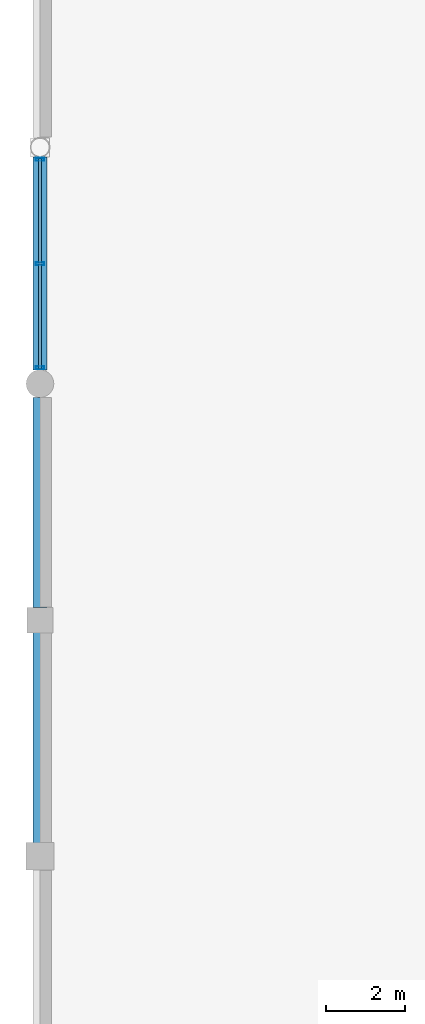
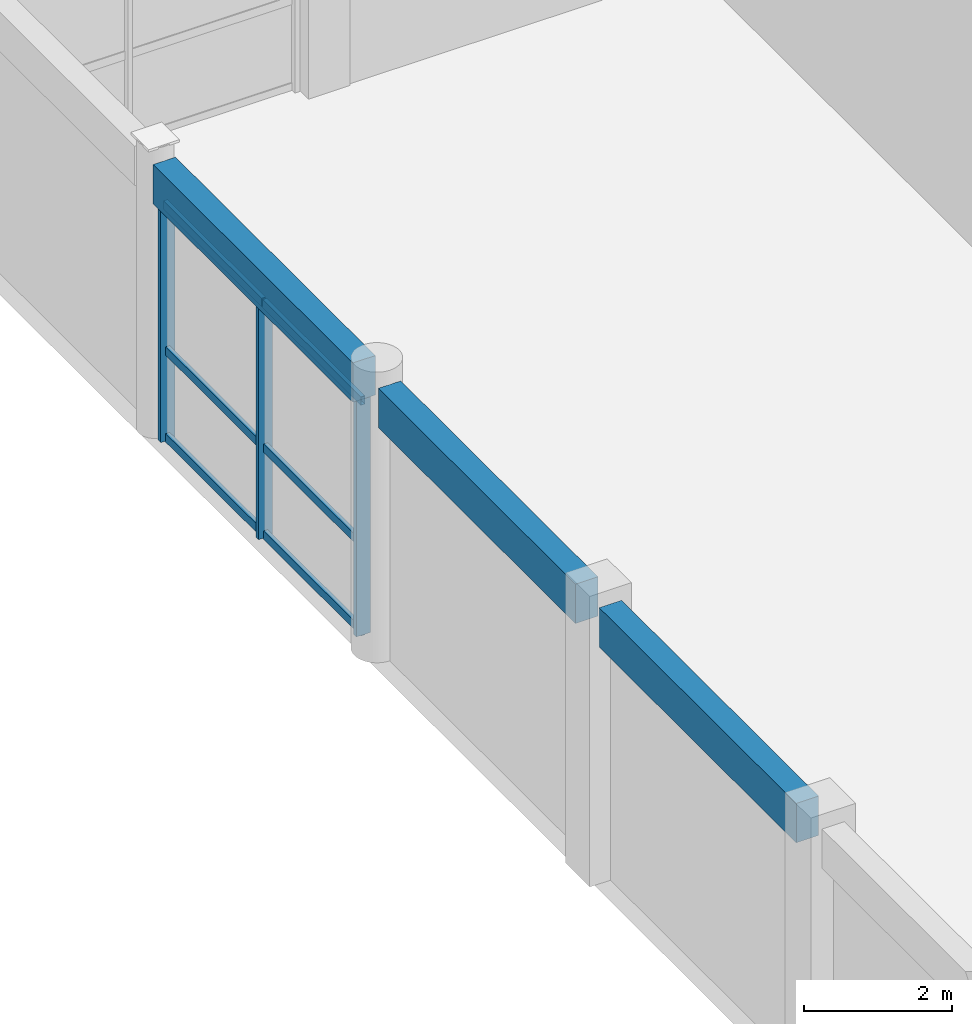
# One storey, part 36 of 112: 9 members, 3 beams, 1 element without a shape of its own.
"""IFC4 building model written with IfcOpenShell, lengths in metres."""

from ifc_helpers import new_model, si_unit, direction, frame, origin, origin_2d, place, context, subcontext, project, spatial, rectangle, hollow_rectangle, extrude, material, material_profile, profile_set, type_object, element, aggregate, save


model = new_model("IFC4")

# Units and contexts
model_context = context("Model", 3, precision=1e-05, world=origin(), true_north=direction((0.0, 1.0)))
body_context = subcontext(model_context, "Body", "Model", "MODEL_VIEW")
ifc_project = project(units=[si_unit("LENGTHUNIT", "METRE"), si_unit("AREAUNIT", "SQUARE_METRE"), si_unit("VOLUMEUNIT", "CUBIC_METRE"), si_unit("PLANEANGLEUNIT", "RADIAN"), si_unit("MASSUNIT", "GRAM", prefix="KILO"), si_unit("THERMODYNAMICTEMPERATUREUNIT", "KELVIN"), si_unit("POWERUNIT", "WATT")], contexts=[model_context])

# Site, building, storey
site_placement = place(None, origin())
site = spatial("IfcSite", under=ifc_project, at=site_placement, CompositionType="ELEMENT")
building_placement = place(site_placement, origin())
building = spatial("IfcBuilding", under=site, at=building_placement, Name="Phaisarnlok Congress Hotel", CompositionType="ELEMENT")
storey_placement = place(building_placement, frame((0.0, 0.0, 19.800048828125)))
storey = spatial("IfcBuildingStorey", under=building, at=storey_placement, Name="L04", CompositionType="ELEMENT", Elevation=19.800048828125)

# Curtain wall, members
ifc_material_1 = material(Name="Thermally Broken Unitised Aluminium & Low-E Glazing", Category="aluminium")
curtain_wall_type = type_object("IfcCurtainWallType", Name="CW-UNIT-34", PredefinedType="NOTDEFINED", material=ifc_material_1)
curtain_wall_placement = place(storey_placement, origin())
curtain_wall = element("IfcCurtainWall", 1, at=curtain_wall_placement, inside=storey, type_object=curtain_wall_type, Name="Unitised curtain wall CW-34 (L04)", PredefinedType="NOTDEFINED")
ifc_material_2 = material(Name="Anodised Aluminium Alloy 6063-T6", Category="aluminium")
ifc_material_profile_1 = material_profile(ifc_material_2, hollow_rectangle(XDim=0.074951171875, YDim=0.219970703125, WallThickness=0.0048828125, at=origin_2d()), Name="ALU-M 75x220x5")
ifc_profile_set_1 = profile_set([ifc_material_profile_1], Name="Anodised Aluminium Alloy 6063-T6")
member_type_1 = type_object("IfcMemberType", Name="CWM-220", PredefinedType="MULLION", material=ifc_profile_set_1)
member_1_placement = place(storey_placement, frame((0.0, 113.696044921875, 0.0), z_axis=(0.0, 0.0, 1.0), x_axis=(0.0, -1.0, 0.0)))
member_1 = element("IfcMember", 2, at=member_1_placement, type_object=member_type_1, Name="Curtain wall mullion CWM-02", PredefinedType="MULLION", context=body_context, shape_type="SweptSolid", body=[
    extrude(hollow_rectangle(XDim=0.074951171875, YDim=0.219970703125, WallThickness=0.0048828125, at=origin_2d()), origin(), (0.0, 0.0, 1.0), 3.909912109375),
])
member_2_placement = place(storey_placement, frame((0.0, 111.048095703125, 0.0), z_axis=(0.0, 0.0, 1.0), x_axis=(0.0, -1.0, 0.0)))
member_2 = element("IfcMember", 3, at=member_2_placement, type_object=member_type_1, Name="Curtain wall mullion CWM-02", PredefinedType="MULLION", context=body_context, shape_type="SweptSolid", body=[
    extrude(hollow_rectangle(XDim=0.074951171875, YDim=0.219970703125, WallThickness=0.0048828125, at=origin_2d()), origin(), (0.0, 0.0, 1.0), 3.909912109375),
])
member_3_placement = place(storey_placement, frame((0.0, 108.39990234375, 0.0), z_axis=(0.0, 0.0, 1.0), x_axis=(0.0, -1.0, 0.0)))
member_3 = element("IfcMember", 4, at=member_3_placement, type_object=member_type_1, Name="Curtain wall mullion CWM-02", PredefinedType="MULLION", context=body_context, shape_type="SweptSolid", body=[
    extrude(hollow_rectangle(XDim=0.074951171875, YDim=0.219970703125, WallThickness=0.0048828125, at=origin_2d()), origin(), (0.0, 0.0, 1.0), 3.909912109375),
])
ifc_material_profile_2 = material_profile(ifc_material_2, hollow_rectangle(XDim=0.06494140625, YDim=0.139892578125, WallThickness=0.00390625, at=origin_2d()), Name="ALU-T 65x140x4")
ifc_profile_set_2 = profile_set([ifc_material_profile_2], Name="Anodised Aluminium Alloy 6063-T6")
member_type_2 = type_object("IfcMemberType", Name="CWT-150", PredefinedType="USERDEFINED", material=ifc_profile_set_2)
member_4_placement = place(storey_placement, frame((0.0, 113.720947265625, 0.050048828125), z_axis=(0.0, -1.0, 0.0), x_axis=(1.0, 0.0, 0.0)))
member_4 = element("IfcMember", 5, at=member_4_placement, type_object=member_type_2, Name="Curtain wall transom CWT-01", ObjectType="TRANSOM", PredefinedType="USERDEFINED", context=body_context, shape_type="SweptSolid", body=[
    extrude(hollow_rectangle(XDim=0.06494140625, YDim=0.139892578125, WallThickness=0.00390625, at=origin_2d()), origin(), (0.0, 0.0, 1.0), 2.657958984375),
])
member_5_placement = place(storey_placement, frame((0.0, 113.720947265625, 1.48583984375), z_axis=(0.0, -1.0, 0.0), x_axis=(1.0, 0.0, 0.0)))
member_5 = element("IfcMember", 6, at=member_5_placement, type_object=member_type_2, Name="Curtain wall transom CWT-01", ObjectType="TRANSOM", PredefinedType="USERDEFINED", context=body_context, shape_type="SweptSolid", body=[
    extrude(hollow_rectangle(XDim=0.06494140625, YDim=0.139892578125, WallThickness=0.00390625, at=origin_2d()), origin(), (0.0, 0.0, 1.0), 2.657958984375),
])
member_6_placement = place(storey_placement, frame((0.0, 113.720947265625, 3.85986328125), z_axis=(0.0, -1.0, 0.0), x_axis=(1.0, 0.0, 0.0)))
member_6 = element("IfcMember", 7, at=member_6_placement, type_object=member_type_2, Name="Curtain wall transom CWT-01", ObjectType="TRANSOM", PredefinedType="USERDEFINED", context=body_context, shape_type="SweptSolid", body=[
    extrude(hollow_rectangle(XDim=0.06494140625, YDim=0.139892578125, WallThickness=0.00390625, at=origin_2d()), origin(), (0.0, 0.0, 1.0), 2.657958984375),
])
member_7_placement = place(storey_placement, frame((0.0, 111.032958984375, 0.050048828125), z_axis=(0.0, -1.0, 0.0), x_axis=(1.0, 0.0, 0.0)))
member_7 = element("IfcMember", 8, at=member_7_placement, type_object=member_type_2, Name="Curtain wall transom CWT-01", ObjectType="TRANSOM", PredefinedType="USERDEFINED", context=body_context, shape_type="SweptSolid", body=[
    extrude(hollow_rectangle(XDim=0.06494140625, YDim=0.139892578125, WallThickness=0.00390625, at=origin_2d()), origin(), (0.0, 0.0, 1.0), 2.657958984375),
])
member_8_placement = place(storey_placement, frame((0.0, 111.032958984375, 1.48583984375), z_axis=(0.0, -1.0, 0.0), x_axis=(1.0, 0.0, 0.0)))
member_8 = element("IfcMember", 9, at=member_8_placement, type_object=member_type_2, Name="Curtain wall transom CWT-01", ObjectType="TRANSOM", PredefinedType="USERDEFINED", context=body_context, shape_type="SweptSolid", body=[
    extrude(hollow_rectangle(XDim=0.06494140625, YDim=0.139892578125, WallThickness=0.00390625, at=origin_2d()), origin(), (0.0, 0.0, 1.0), 2.657958984375),
])
member_9_placement = place(storey_placement, frame((0.0, 111.032958984375, 3.85986328125), z_axis=(0.0, -1.0, 0.0), x_axis=(1.0, 0.0, 0.0)))
member_9 = element("IfcMember", 10, at=member_9_placement, type_object=member_type_2, Name="Curtain wall transom CWT-01", ObjectType="TRANSOM", PredefinedType="USERDEFINED", context=body_context, shape_type="SweptSolid", body=[
    extrude(hollow_rectangle(XDim=0.06494140625, YDim=0.139892578125, WallThickness=0.00390625, at=origin_2d()), origin(), (0.0, 0.0, 1.0), 2.657958984375),
])
aggregate(curtain_wall, [member_1, member_2, member_3, member_4, member_5, member_6, member_7, member_8, member_9])

# Beams
ifc_material_3 = material(Name="Concrete C40/50", Category="concrete")
ifc_material_profile_3 = material_profile(ifc_material_3, rectangle(XDim=0.35009765625, YDim=0.64990234375, at=origin_2d()), Name="RC 350x650")
ifc_profile_set_3 = profile_set([ifc_material_profile_3], Name="Concrete C40/50")
beam_type = type_object("IfcBeamType", Name="SP-RC-350x650", PredefinedType="SPANDREL", material=ifc_profile_set_3)
for number, where, z_axis, x_axis, name in (
    (11, (0.0, 96.344970703125, 4.23486328125), (0.0, 1.0, 0.0), (-1.0, 0.0, 0.0), "Beam SP-01"),
    (12, (0.0, 102.320068359375, 4.23486328125), (0.0, 1.0, 0.0), (-1.0, 0.0, 0.0), "Beam SP-01"),
):
    element("IfcBeam", number, at=place(storey_placement, frame(where, z_axis=z_axis, x_axis=x_axis)), inside=storey, type_object=beam_type, Name=name, PredefinedType="SPANDREL", context=body_context, shape_type="SweptSolid", body=[
        extrude(rectangle(XDim=0.35009765625, YDim=0.64990234375, at=origin_2d()), origin(), (0.0, 0.0, 1.0), 5.3349609375),
    ])
beam_placement = place(storey_placement, frame((0.0, 108.344970703125, 4.23486328125), z_axis=(0.0, 1.0, 0.0), x_axis=(-1.0, 0.0, 0.0)))
element("IfcBeam", 13, at=beam_placement, inside=storey, type_object=beam_type, Name="Beam SP-01", PredefinedType="SPANDREL", context=body_context, shape_type="SweptSolid", body=[
    extrude(rectangle(XDim=0.35009765625, YDim=0.64990234375, at=origin_2d()), origin(), (0.0, 0.0, 1.0), 5.406005859375),
])

save(model, "model.ifc")
